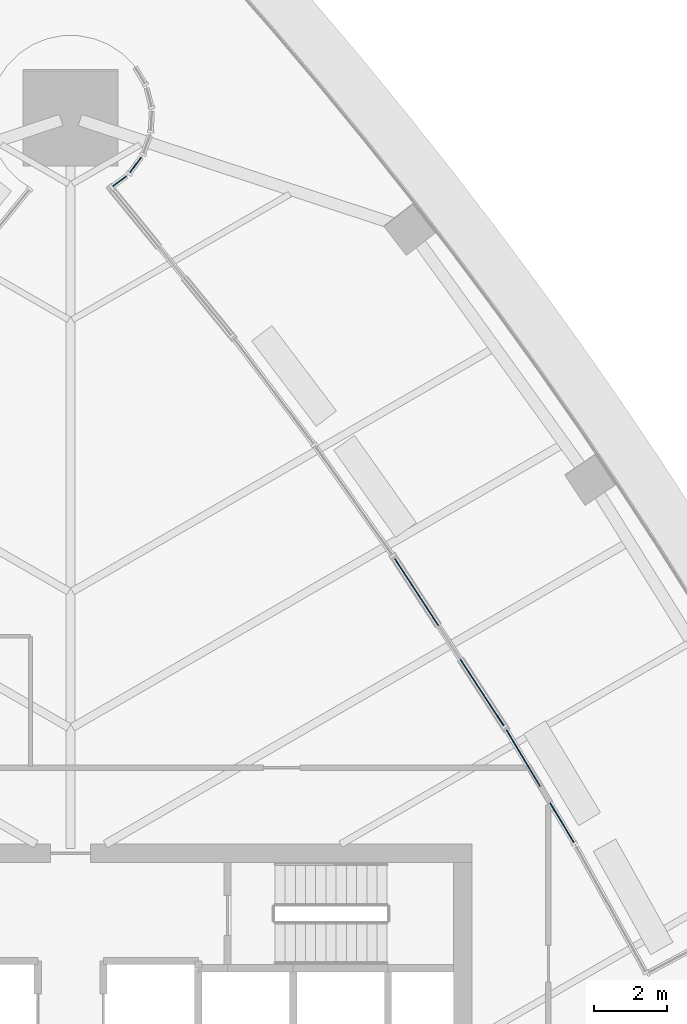
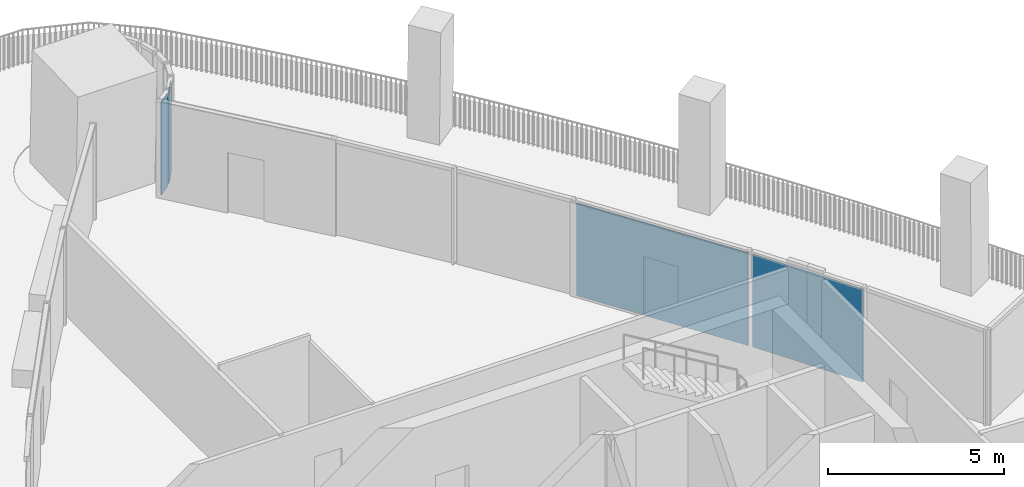
# One storey, part 10 of 21: 4 plates, 4 elements without a shape of their own.
"""IFC4 building model written with IfcOpenShell, lengths in metres."""

from ifc_helpers import new_model, si_unit, direction, frame, origin, origin_2d, place, context, subcontext, project, spatial, rectangle, extrude, material, layer, layer_set, type_object, element, aggregate, save


model = new_model("IFC4")

# Units and contexts
model_context = context("Model", 3, precision=1e-05, world=origin(), true_north=direction((0.0, 1.0)))
body_context = subcontext(model_context, "Body", "Model", "MODEL_VIEW")
ifc_project = project(units=[si_unit("LENGTHUNIT", "METRE"), si_unit("AREAUNIT", "SQUARE_METRE"), si_unit("VOLUMEUNIT", "CUBIC_METRE"), si_unit("PLANEANGLEUNIT", "RADIAN"), si_unit("MASSUNIT", "GRAM", prefix="KILO")], contexts=[model_context])

# Site, building, storey
site_placement = place(None, origin())
site = spatial("IfcSite", under=ifc_project, at=site_placement, CompositionType="ELEMENT")
building_placement = place(site_placement, origin())
building = spatial("IfcBuilding", under=site, at=building_placement, Name="Sierra Prisma Convention Tower", CompositionType="ELEMENT")
storey_placement = place(building_placement, frame((0.0, 0.0, 157.800048828125)))
storey = spatial("IfcBuildingStorey", under=building, at=storey_placement, Name="L34", CompositionType="ELEMENT", Elevation=157.800048828125)

# Curtain wall, plate
ifc_material_1 = material(Name="Aluminium and glass curtain wall", Category="aluminium")
ifc_layer_1 = layer(ifc_material_1, 0.179931640625)
ifc_layer_set_1 = layer_set([ifc_layer_1], Name="CW-6 Terrace recess curtain wall")
curtain_wall_type = type_object("IfcCurtainWallType", Name="CW-6 Terrace recess curtain wall", PredefinedType="NOTDEFINED", material=ifc_layer_set_1)
curtain_wall_1_placement = place(storey_placement, origin())
curtain_wall_1 = element("IfcCurtainWall", 1, at=curtain_wall_1_placement, inside=storey, type_object=curtain_wall_type, Name="CW-6 R2 L34", PredefinedType="NOTDEFINED")
ifc_material_2 = material(Name="Tinted glass bronze-grey IGU", Category="glass")
ifc_layer_2 = layer(ifc_material_2, 0.028076171875)
ifc_layer_set_2 = layer_set([ifc_layer_2], Name="CW-6 glass panel")
plate_type = type_object("IfcPlateType", Name="CW-6 glass panel", PredefinedType="CURTAIN_PANEL", material=ifc_layer_set_2)
plate_1_placement = place(storey_placement, frame((12.871826171875, 9.5869140625, 0.0), z_axis=(0.0, 0.0, 1.0), x_axis=(-0.513386079154, 0.858157755737, 0.0)))
plate_1 = element("IfcPlate", 2, at=plate_1_placement, type_object=plate_type, Name="CW-6 panel R2.1", PredefinedType="CURTAIN_PANEL", context=body_context, shape_type="SweptSolid", body=[
    extrude(rectangle(XDim=3.59375, YDim=0.028076171875, at=origin_2d()), origin(), (0.0, 0.0, 1.0), 3.219970703125),
])
aggregate(curtain_wall_1, [plate_1])

curtain_wall_2_placement = place(storey_placement, origin())
curtain_wall_2 = element("IfcCurtainWall", 3, at=curtain_wall_2_placement, inside=storey, type_object=curtain_wall_type, Name="CW-6 R3 L34", PredefinedType="NOTDEFINED")
plate_2_placement = place(storey_placement, frame((10.383544921875, 13.534423828125, 0.0), z_axis=(0.0, 0.0, 1.0), x_axis=(-0.546302794298, 0.83758776074, 0.0)))
plate_2 = element("IfcPlate", 4, at=plate_2_placement, type_object=plate_type, Name="CW-6 panel R3.1", PredefinedType="CURTAIN_PANEL", context=body_context, shape_type="SweptSolid", body=[
    extrude(rectangle(XDim=5.46044921875, YDim=0.028076171875, at=origin_2d()), origin(), (0.0, 0.0, 1.0), 3.219970703125),
])
aggregate(curtain_wall_2, [plate_2])

curtain_wall_3_placement = place(storey_placement, origin())
curtain_wall_3 = element("IfcCurtainWall", 5, at=curtain_wall_3_placement, inside=storey, type_object=curtain_wall_type, Name="CW-6 R7 L34", PredefinedType="NOTDEFINED")
plate_3_placement = place(storey_placement, frame((1.340087890625, 26.17333984375, 0.0), z_axis=(0.0, 0.0, 1.0), x_axis=(0.798476592343, 0.602025856156, 0.0)))
plate_3 = element("IfcPlate", 6, at=plate_3_placement, type_object=plate_type, Name="CW-6 panel R7.1", PredefinedType="CURTAIN_PANEL", context=body_context, shape_type="SweptSolid", body=[
    extrude(rectangle(XDim=0.46826171875, YDim=0.028076171875, at=origin_2d()), origin(), (0.0, 0.0, 1.0), 3.219970703125),
])
aggregate(curtain_wall_3, [plate_3])

curtain_wall_4_placement = place(storey_placement, origin())
curtain_wall_4 = element("IfcCurtainWall", 7, at=curtain_wall_4_placement, inside=storey, type_object=curtain_wall_type, Name="CW-6 R8 L34", PredefinedType="NOTDEFINED")
plate_4_placement = place(storey_placement, frame((1.778564453125, 26.620361328125, 0.0), z_axis=(0.0, 0.0, 1.0), x_axis=(0.595699304492, 0.803207531481, 0.0)))
plate_4 = element("IfcPlate", 8, at=plate_4_placement, type_object=plate_type, Name="CW-6 panel R8.1", PredefinedType="CURTAIN_PANEL", context=body_context, shape_type="SweptSolid", body=[
    extrude(rectangle(XDim=0.516845703125, YDim=0.028076171875, at=origin_2d()), origin(), (0.0, 0.0, 1.0), 3.219970703125),
])
aggregate(curtain_wall_4, [plate_4])

save(model, "model.ifc")
